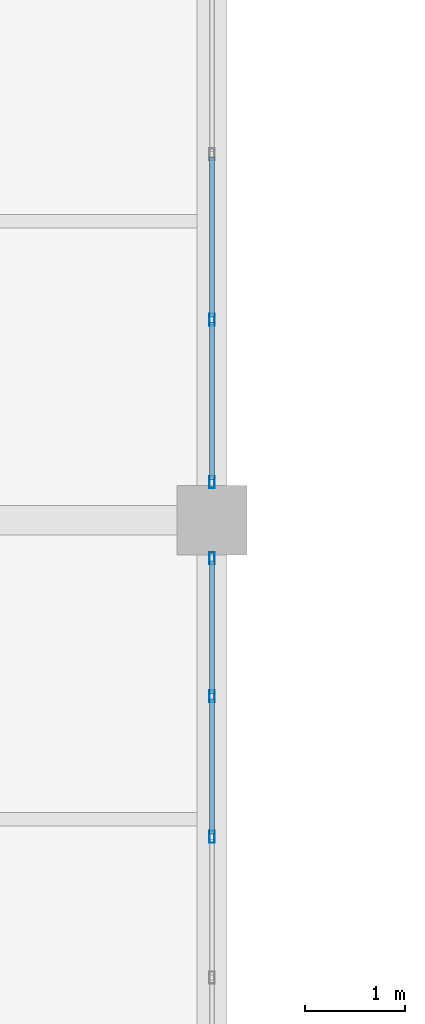
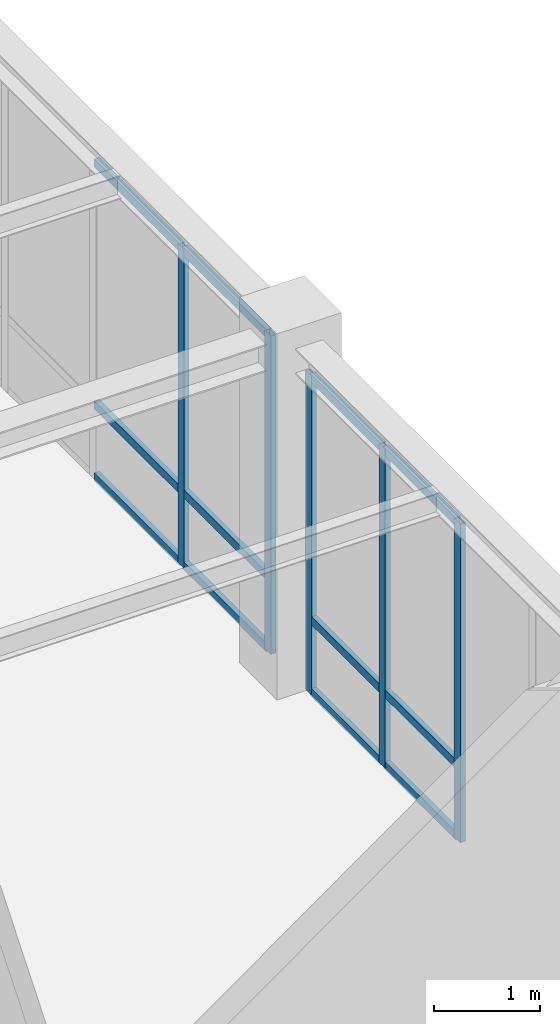
# One storey, part 22 of 130: 17 members, 2 elements without a shape of their own.
"""IFC4 building model written with IfcOpenShell, lengths in metres."""

from ifc_helpers import new_model, si_unit, direction, frame, origin, origin_2d, place, context, subcontext, project, spatial, hollow_rectangle, extrude, material, material_profile, profile_set, type_object, element, aggregate, save


model = new_model("IFC4")

# Units and contexts
model_context = context("Model", 3, precision=1e-05, world=origin(), true_north=direction((0.0, 1.0)))
body_context = subcontext(model_context, "Body", "Model", "MODEL_VIEW")
ifc_project = project(units=[si_unit("LENGTHUNIT", "METRE"), si_unit("AREAUNIT", "SQUARE_METRE"), si_unit("VOLUMEUNIT", "CUBIC_METRE"), si_unit("PLANEANGLEUNIT", "RADIAN"), si_unit("MASSUNIT", "GRAM", prefix="KILO")], contexts=[model_context])

# Site, building, storey
site_placement = place(None, origin())
site = spatial("IfcSite", under=ifc_project, at=site_placement, CompositionType="ELEMENT")
building_placement = place(site_placement, origin())
building = spatial("IfcBuilding", under=site, at=building_placement, Name="Lykobir Media Centre", CompositionType="ELEMENT")
storey_placement = place(building_placement, frame((0.0, 0.0, 19.199951171875)))
storey = spatial("IfcBuildingStorey", under=building, at=storey_placement, Name="L04", CompositionType="ELEMENT", Elevation=19.199951171875)

# Curtain wall, members
ifc_material = material(Name="Anodized Aluminium AW-6060", Category="aluminium")
curtain_wall_type = type_object("IfcCurtainWallType", Name="CW-COURT-B", PredefinedType="NOTDEFINED", material=ifc_material)
curtain_wall_1_placement = place(storey_placement, origin())
curtain_wall_1 = element("IfcCurtainWall", 1, at=curtain_wall_1_placement, inside=storey, type_object=curtain_wall_type, Name="Curtain wall CW2-L04-0154", PredefinedType="NOTDEFINED")
ifc_material_profile_1 = material_profile(ifc_material, hollow_rectangle(XDim=0.054931640625, YDim=0.1201171875, WallThickness=0.003173828125, at=origin_2d()), Name="ALU MULLION 55x120")
ifc_profile_set_1 = profile_set([ifc_material_profile_1], Name="Anodized Aluminium AW-6060")
member_type_1 = type_object("IfcMemberType", Name="CWM-120", PredefinedType="MULLION", material=ifc_profile_set_1)
member_1_placement = place(storey_placement, frame((36.0, 26.617431640625, 0.0), z_axis=(0.0, 0.0, 1.0), x_axis=(1.0, 0.0, 0.0)))
member_1 = element("IfcMember", 2, at=member_1_placement, type_object=member_type_1, Name="CW2-L04-0154 mullion 1", PredefinedType="MULLION", context=body_context, shape_type="SweptSolid", body=[
    extrude(hollow_rectangle(XDim=0.054931640625, YDim=0.1201171875, WallThickness=0.003173828125, at=origin_2d()), origin(), (0.0, 0.0, 1.0), 3.655029296875),
])
member_2_placement = place(storey_placement, frame((36.0, 25.23388671875, 0.0), z_axis=(0.0, 0.0, 1.0), x_axis=(1.0, 0.0, 0.0)))
member_2 = element("IfcMember", 3, at=member_2_placement, type_object=member_type_1, Name="CW2-L04-0154 mullion 2", PredefinedType="MULLION", context=body_context, shape_type="SweptSolid", body=[
    extrude(hollow_rectangle(XDim=0.054931640625, YDim=0.1201171875, WallThickness=0.003173828125, at=origin_2d()), origin(), (0.0, 0.0, 1.0), 3.655029296875),
])
member_3_placement = place(storey_placement, frame((36.0, 23.822509765625, 0.0), z_axis=(0.0, 0.0, 1.0), x_axis=(1.0, 0.0, 0.0)))
member_3 = element("IfcMember", 4, at=member_3_placement, type_object=member_type_1, Name="CW2-L04-0154 mullion 3", PredefinedType="MULLION", context=body_context, shape_type="SweptSolid", body=[
    extrude(hollow_rectangle(XDim=0.054931640625, YDim=0.1201171875, WallThickness=0.003173828125, at=origin_2d()), origin(), (0.0, 0.0, 1.0), 3.655029296875),
])

curtain_wall_2_placement = place(storey_placement, origin())
curtain_wall_2 = element("IfcCurtainWall", 5, at=curtain_wall_2_placement, inside=storey, type_object=curtain_wall_type, Name="Curtain wall CW2-L04-0155", PredefinedType="NOTDEFINED")
member_4_placement = place(storey_placement, frame((36.0, 29.012939453125, 0.0), z_axis=(0.0, 0.0, 1.0), x_axis=(1.0, 0.0, 0.0)))
member_4 = element("IfcMember", 6, at=member_4_placement, type_object=member_type_1, Name="CW2-L04-0155 mullion 5", PredefinedType="MULLION", context=body_context, shape_type="SweptSolid", body=[
    extrude(hollow_rectangle(XDim=0.054931640625, YDim=0.1201171875, WallThickness=0.003173828125, at=origin_2d()), origin(), (0.0, 0.0, 1.0), 3.655029296875),
])
member_5_placement = place(storey_placement, frame((36.0, 27.382568359375, 0.0), z_axis=(0.0, 0.0, 1.0), x_axis=(1.0, 0.0, 0.0)))
member_5 = element("IfcMember", 7, at=member_5_placement, type_object=member_type_1, Name="CW2-L04-0155 mullion 6", PredefinedType="MULLION", context=body_context, shape_type="SweptSolid", body=[
    extrude(hollow_rectangle(XDim=0.054931640625, YDim=0.1201171875, WallThickness=0.003173828125, at=origin_2d()), origin(), (0.0, 0.0, 1.0), 3.655029296875),
])

# Member
ifc_material_profile_2 = material_profile(ifc_material, hollow_rectangle(XDim=0.054931640625, YDim=0.094970703125, WallThickness=0.0029296875, at=origin_2d()), Name="ALU TRANSOM 55x95")
ifc_profile_set_2 = profile_set([ifc_material_profile_2], Name="Anodized Aluminium AW-6060")
member_type_2 = type_object("IfcMemberType", Name="CWT-095", PredefinedType="USERDEFINED", material=ifc_profile_set_2)
member_6_placement = place(storey_placement, frame((36.0, 26.590087890625, 0.027587890625), z_axis=(0.0, -1.0, 0.0), x_axis=(1.0, 0.0, 0.0)))
member_6 = element("IfcMember", 8, at=member_6_placement, type_object=member_type_2, Name="CW2-L04-0154 transom 1.1", ObjectType="TRANSOM", PredefinedType="USERDEFINED", context=body_context, shape_type="SweptSolid", body=[
    extrude(hollow_rectangle(XDim=0.054931640625, YDim=0.094970703125, WallThickness=0.0029296875, at=origin_2d()), origin(), (0.0, 0.0, 1.0), 1.328857421875),
])

member_7_placement = place(storey_placement, frame((36.0, 26.590087890625, 0.85009765625), z_axis=(0.0, -1.0, 0.0), x_axis=(1.0, 0.0, 0.0)))
member_7 = element("IfcMember", 9, at=member_7_placement, type_object=member_type_2, Name="CW2-L04-0154 transom 1.2", ObjectType="TRANSOM", PredefinedType="USERDEFINED", context=body_context, shape_type="SweptSolid", body=[
    extrude(hollow_rectangle(XDim=0.054931640625, YDim=0.094970703125, WallThickness=0.0029296875, at=origin_2d()), origin(), (0.0, 0.0, 1.0), 1.328857421875),
])

member_8_placement = place(storey_placement, frame((36.0, 26.590087890625, 3.62744140625), z_axis=(0.0, -1.0, 0.0), x_axis=(1.0, 0.0, 0.0)))
member_8 = element("IfcMember", 10, at=member_8_placement, type_object=member_type_2, Name="CW2-L04-0154 transom 1.3", ObjectType="TRANSOM", PredefinedType="USERDEFINED", context=body_context, shape_type="SweptSolid", body=[
    extrude(hollow_rectangle(XDim=0.054931640625, YDim=0.094970703125, WallThickness=0.0029296875, at=origin_2d()), origin(), (0.0, 0.0, 1.0), 1.328857421875),
])

member_9_placement = place(storey_placement, frame((36.0, 25.206298828125, 0.027587890625), z_axis=(0.0, -1.0, 0.0), x_axis=(1.0, 0.0, 0.0)))
member_9 = element("IfcMember", 11, at=member_9_placement, type_object=member_type_2, Name="CW2-L04-0154 transom 2.1", ObjectType="TRANSOM", PredefinedType="USERDEFINED", context=body_context, shape_type="SweptSolid", body=[
    extrude(hollow_rectangle(XDim=0.054931640625, YDim=0.094970703125, WallThickness=0.0029296875, at=origin_2d()), origin(), (0.0, 0.0, 1.0), 1.356201171875),
])

member_10_placement = place(storey_placement, frame((36.0, 25.206298828125, 0.85009765625), z_axis=(0.0, -1.0, 0.0), x_axis=(1.0, 0.0, 0.0)))
member_10 = element("IfcMember", 12, at=member_10_placement, type_object=member_type_2, Name="CW2-L04-0154 transom 2.2", ObjectType="TRANSOM", PredefinedType="USERDEFINED", context=body_context, shape_type="SweptSolid", body=[
    extrude(hollow_rectangle(XDim=0.054931640625, YDim=0.094970703125, WallThickness=0.0029296875, at=origin_2d()), origin(), (0.0, 0.0, 1.0), 1.356201171875),
])

member_11_placement = place(storey_placement, frame((36.0, 25.206298828125, 3.62744140625), z_axis=(0.0, -1.0, 0.0), x_axis=(1.0, 0.0, 0.0)))
member_11 = element("IfcMember", 13, at=member_11_placement, type_object=member_type_2, Name="CW2-L04-0154 transom 2.3", ObjectType="TRANSOM", PredefinedType="USERDEFINED", context=body_context, shape_type="SweptSolid", body=[
    extrude(hollow_rectangle(XDim=0.054931640625, YDim=0.094970703125, WallThickness=0.0029296875, at=origin_2d()), origin(), (0.0, 0.0, 1.0), 1.356201171875),
])

aggregate(curtain_wall_1, [member_1, member_2, member_3, member_6, member_7, member_8, member_9, member_10, member_11])

member_12_placement = place(storey_placement, frame((36.0, 30.6435546875, 0.027587890625), z_axis=(0.0, -1.0, 0.0), x_axis=(1.0, 0.0, 0.0)))
member_12 = element("IfcMember", 14, at=member_12_placement, type_object=member_type_2, Name="CW2-L04-0155 transom 4.1", ObjectType="TRANSOM", PredefinedType="USERDEFINED", context=body_context, shape_type="SweptSolid", body=[
    extrude(hollow_rectangle(XDim=0.054931640625, YDim=0.094970703125, WallThickness=0.0029296875, at=origin_2d()), origin(), (0.0, 0.0, 1.0), 1.60302734375),
])

member_13_placement = place(storey_placement, frame((36.0, 30.6435546875, 0.85009765625), z_axis=(0.0, -1.0, 0.0), x_axis=(1.0, 0.0, 0.0)))
member_13 = element("IfcMember", 15, at=member_13_placement, type_object=member_type_2, Name="CW2-L04-0155 transom 4.2", ObjectType="TRANSOM", PredefinedType="USERDEFINED", context=body_context, shape_type="SweptSolid", body=[
    extrude(hollow_rectangle(XDim=0.054931640625, YDim=0.094970703125, WallThickness=0.0029296875, at=origin_2d()), origin(), (0.0, 0.0, 1.0), 1.60302734375),
])

member_14_placement = place(storey_placement, frame((36.0, 30.6435546875, 3.62744140625), z_axis=(0.0, -1.0, 0.0), x_axis=(1.0, 0.0, 0.0)))
member_14 = element("IfcMember", 16, at=member_14_placement, type_object=member_type_2, Name="CW2-L04-0155 transom 4.3", ObjectType="TRANSOM", PredefinedType="USERDEFINED", context=body_context, shape_type="SweptSolid", body=[
    extrude(hollow_rectangle(XDim=0.054931640625, YDim=0.094970703125, WallThickness=0.0029296875, at=origin_2d()), origin(), (0.0, 0.0, 1.0), 1.60302734375),
])

member_15_placement = place(storey_placement, frame((36.0, 28.985595703125, 0.027587890625), z_axis=(0.0, -1.0, 0.0), x_axis=(1.0, 0.0, 0.0)))
member_15 = element("IfcMember", 17, at=member_15_placement, type_object=member_type_2, Name="CW2-L04-0155 transom 5.1", ObjectType="TRANSOM", PredefinedType="USERDEFINED", context=body_context, shape_type="SweptSolid", body=[
    extrude(hollow_rectangle(XDim=0.054931640625, YDim=0.094970703125, WallThickness=0.0029296875, at=origin_2d()), origin(), (0.0, 0.0, 1.0), 1.57568359375),
])

member_16_placement = place(storey_placement, frame((36.0, 28.985595703125, 0.85009765625), z_axis=(0.0, -1.0, 0.0), x_axis=(1.0, 0.0, 0.0)))
member_16 = element("IfcMember", 18, at=member_16_placement, type_object=member_type_2, Name="CW2-L04-0155 transom 5.2", ObjectType="TRANSOM", PredefinedType="USERDEFINED", context=body_context, shape_type="SweptSolid", body=[
    extrude(hollow_rectangle(XDim=0.054931640625, YDim=0.094970703125, WallThickness=0.0029296875, at=origin_2d()), origin(), (0.0, 0.0, 1.0), 1.57568359375),
])

member_17_placement = place(storey_placement, frame((36.0, 28.985595703125, 3.62744140625), z_axis=(0.0, -1.0, 0.0), x_axis=(1.0, 0.0, 0.0)))
member_17 = element("IfcMember", 19, at=member_17_placement, type_object=member_type_2, Name="CW2-L04-0155 transom 5.3", ObjectType="TRANSOM", PredefinedType="USERDEFINED", context=body_context, shape_type="SweptSolid", body=[
    extrude(hollow_rectangle(XDim=0.054931640625, YDim=0.094970703125, WallThickness=0.0029296875, at=origin_2d()), origin(), (0.0, 0.0, 1.0), 1.57568359375),
])

aggregate(curtain_wall_2, [member_4, member_5, member_12, member_13, member_14, member_15, member_16, member_17])

save(model, "model.ifc")
